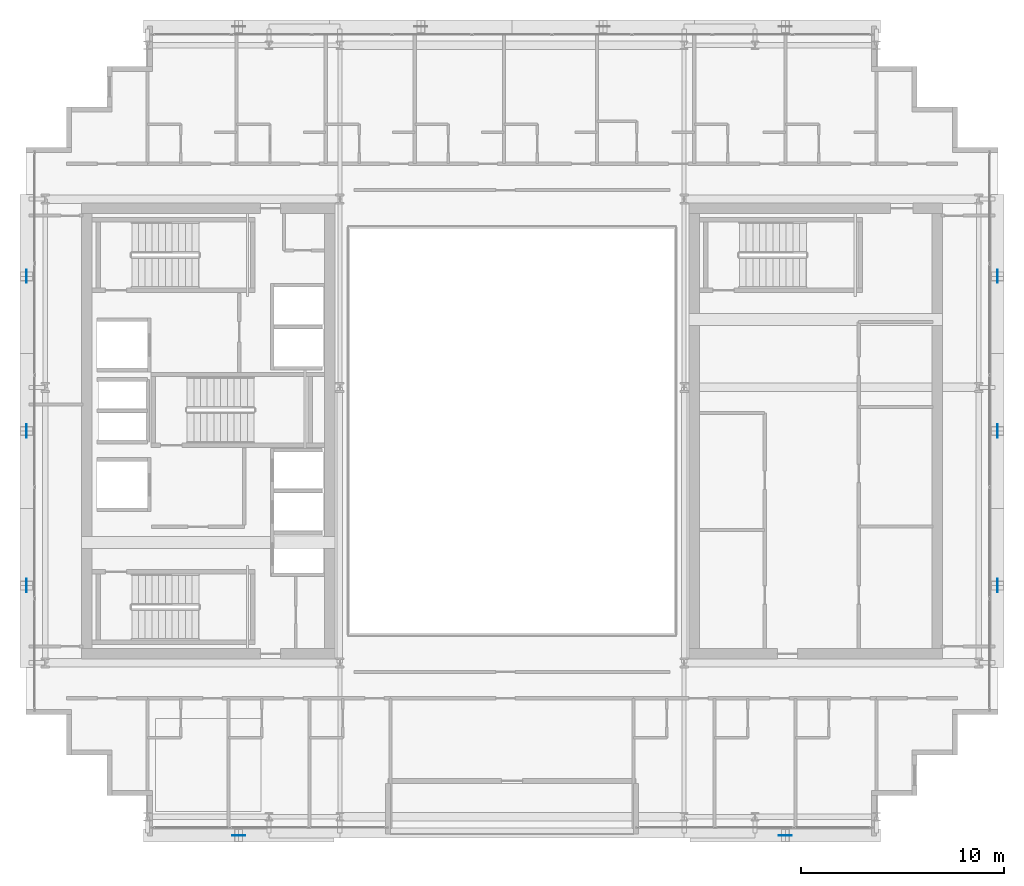
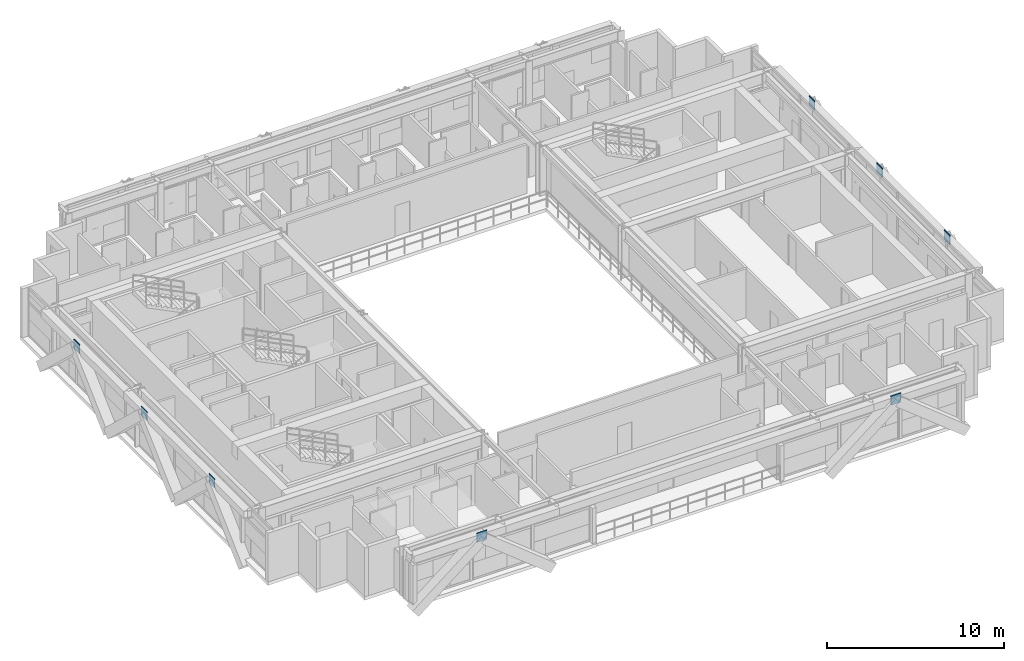
# One storey, part 22 of 32: 8 plates.
"""IFC4 building model written with IfcOpenShell, lengths in metres."""

import ifcopenshell
import ifcopenshell.guid

model = None  # the IFC model being written
_history = None  # IfcOwnerHistory: only IFC2X3 demands one
_inside = {}  # id of a spatial element -> (the spatial element, [elements in it])
_under = {}  # id of a project, library or spatial element -> (it, [spatial elements below it])
_declared = {}  # id of a project -> (the project, [libraries it declares])
_typed = {}  # id of a type object -> (the type object, [elements of that type])
_made_of = {}  # id of a material, layer set ... -> (it, [elements and type objects made of it])


def new_model(schema):
    """Start an empty IFC model of exactly this schema.

    Asked for "IFC4X3", IfcOpenShell would pick the latest addendum, in which some entities
    have other attributes; the version numbers below select the first issue.
    IFC2X3 requires an IfcOwnerHistory on every rooted entity: one is made here for all.
    """
    global model, _history
    if schema == "IFC4X3":
        model = ifcopenshell.file(schema_version=(4, 3, 0, 0))
    else:
        model = ifcopenshell.file(schema=schema)
    _inside.clear()
    _under.clear()
    _declared.clear()
    _typed.clear()
    _made_of.clear()
    _history = None
    if model.schema == "IFC2X3":
        org = make("IfcOrganization", Name="unknown")
        user = make(
            "IfcPersonAndOrganization",
            ThePerson=make("IfcPerson", FamilyName="unknown"),
            TheOrganization=org,
        )
        app = make(
            "IfcApplication",
            ApplicationDeveloper=org,
            Version="unknown",
            ApplicationFullName="unknown",
            ApplicationIdentifier="unknown",
        )
        _history = make(
            "IfcOwnerHistory",
            OwningUser=user,
            OwningApplication=app,
            ChangeAction="ADDED",
            CreationDate=0,
        )
    return model


def make(cls, **values):
    """One entity of the class cls with the attributes given. An attribute that is None is left unset."""
    return model.create_entity(
        cls, **{name: value for name, value in values.items() if value is not None}
    )


def rooted(cls, **values):
    """An entity with a GlobalId (a new one), such as an element, a storey or a relation."""
    return make(cls, GlobalId=ifcopenshell.guid.new(), OwnerHistory=_history, **values)


def si_unit(unit_type, name, prefix=None):
    """IfcSIUnit, for example si_unit("LENGTHUNIT", "METRE", prefix="MILLI")."""
    return make("IfcSIUnit", UnitType=unit_type, Prefix=prefix, Name=name)


def assignment(units):
    """IfcUnitAssignment: the units of a project."""
    return None if units is None else make("IfcUnitAssignment", Units=units)


def point(xyz):
    """IfcCartesianPoint."""
    return None if xyz is None else make("IfcCartesianPoint", Coordinates=xyz)


def direction(xyz):
    """IfcDirection."""
    return None if xyz is None else make("IfcDirection", DirectionRatios=xyz)


def frame(location, z_axis=None, x_axis=None):
    """IfcAxis2Placement3D, a coordinate frame: its origin and axes. An axis left out is left unset."""
    return make(
        "IfcAxis2Placement3D",
        Location=point(location),
        Axis=direction(z_axis),
        RefDirection=direction(x_axis),
    )


def frame_2d(location, x_axis=None):
    """IfcAxis2Placement2D, a coordinate frame in the plane: its origin and x axis."""
    return make(
        "IfcAxis2Placement2D", Location=point(location), RefDirection=direction(x_axis)
    )


def origin():
    """The frame at (0, 0, 0) with its axes left unset."""
    return frame((0.0, 0.0, 0.0))


def origin_2d():
    """The frame at (0, 0) in the plane with its x axis left unset."""
    return frame_2d((0.0, 0.0))


def place(relative_to, where):
    """IfcLocalPlacement: puts the frame where relative to a parent placement (None: the world)."""
    return make(
        "IfcLocalPlacement", PlacementRelTo=relative_to, RelativePlacement=where
    )


def context(
    kind, dimensions, precision=None, world=None, true_north=None, identifier=None
):
    """IfcGeometricRepresentationContext, for example the 3D "Model" context."""
    return make(
        "IfcGeometricRepresentationContext",
        ContextIdentifier=identifier,
        ContextType=kind,
        CoordinateSpaceDimension=dimensions,
        Precision=precision,
        WorldCoordinateSystem=world,
        TrueNorth=true_north,
    )


def subcontext(parent, identifier, kind, view, scale=None):
    """IfcGeometricRepresentationSubContext, for example "Body" below "Model"."""
    return make(
        "IfcGeometricRepresentationSubContext",
        ContextIdentifier=identifier,
        ContextType=kind,
        ParentContext=parent,
        TargetScale=scale,
        TargetView=view,
    )


def project(units=None, contexts=None):
    """IfcProject with its units and contexts."""
    return rooted(
        "IfcProject",
        Name="project",
        RepresentationContexts=contexts,
        UnitsInContext=assignment(units),
    )


def spatial(cls, under=None, at=None, **own):
    """A site, building, storey or space (cls), placed at a placement, below another one or the project."""
    s = rooted(cls, ObjectPlacement=at, **own)
    if under is not None:
        _under.setdefault(under.id(), (under, []))[1].append(s)
    return s


def profile(cls, at=None, kind="AREA", **sizes):
    """A parametric profile (cls). Its sizes go by their IFC names, for example OverallWidth=200.0."""
    return make(cls, ProfileType=kind, Position=at, **sizes)


def rectangle(**sizes):
    """IfcRectangleProfileDef."""
    return profile("IfcRectangleProfileDef", **sizes)


def extrude(swept, where, along, depth):
    """IfcExtrudedAreaSolid: the profile swept, set in the frame where, extruded along a direction by depth."""
    return make(
        "IfcExtrudedAreaSolid",
        SweptArea=swept,
        Position=where,
        ExtrudedDirection=direction(along),
        Depth=depth,
    )


def shape(context_of_items, identifier, shape_type, items):
    """IfcShapeRepresentation: the items that make up one representation, for example the "Body"."""
    return make(
        "IfcShapeRepresentation",
        ContextOfItems=context_of_items,
        RepresentationIdentifier=identifier,
        RepresentationType=shape_type,
        Items=items,
    )


def source(mapping_origin, context_of_items, identifier, shape_type, items):
    """IfcRepresentationMap: a shape defined once, which mapped items show again and again."""
    return make(
        "IfcRepresentationMap",
        MappingOrigin=mapping_origin,
        MappedRepresentation=shape(context_of_items, identifier, shape_type, items),
    )


def transform(
    local_origin,
    x_axis=None,
    y_axis=None,
    z_axis=None,
    scale=None,
    scale2=None,
    scale3=None,
    uniform=True,
):
    """IfcCartesianTransformationOperator3D, or its non-uniform kind. x_axis, y_axis, z_axis: its Axis1, 2, 3."""
    if uniform:
        return make(
            "IfcCartesianTransformationOperator3D",
            Axis1=direction(x_axis),
            Axis2=direction(y_axis),
            LocalOrigin=point(local_origin),
            Scale=scale,
            Axis3=direction(z_axis),
        )
    return make(
        "IfcCartesianTransformationOperator3DnonUniform",
        Axis1=direction(x_axis),
        Axis2=direction(y_axis),
        LocalOrigin=point(local_origin),
        Scale=scale,
        Axis3=direction(z_axis),
        Scale2=scale2,
        Scale3=scale3,
    )


def mapped(mapping_source, mapping_target):
    """IfcMappedItem: shows the shape of a source again, moved by a transform."""
    return make(
        "IfcMappedItem", MappingSource=mapping_source, MappingTarget=mapping_target
    )


def material(Name=None, Category=None):
    """IfcMaterial."""
    return make("IfcMaterial", Name=Name, Category=Category)


def layer(
    of_material, thickness, ventilated=None, Name=None, Category=None, Priority=None
):
    """IfcMaterialLayer: one layer of a wall or slab, of a material (None: an air gap)."""
    return make(
        "IfcMaterialLayer",
        Material=of_material,
        LayerThickness=thickness,
        IsVentilated=ventilated,
        Name=Name,
        Category=Category,
        Priority=Priority,
    )


def layer_set(layers, Name=None):
    """IfcMaterialLayerSet."""
    return make("IfcMaterialLayerSet", MaterialLayers=layers, LayerSetName=Name)


def made_of(thing, what):
    """Note that an element or type object is made of a material, layer set ...; save() writes the relation."""
    if what is not None:
        _made_of.setdefault(what.id(), (what, []))[1].append(thing)
    return thing


def type_object(cls, material=None, **own):
    """A type object (cls), such as IfcWallType, which elements share."""
    return made_of(rooted(cls, **own), material)


def element(
    cls,
    number,
    at=None,
    inside=None,
    cuts=None,
    type_object=None,
    material=None,
    context=None,
    identifier="Body",
    shape_type=None,
    held_by="IfcProductDefinitionShape",
    body=None,
    shapes=None,
    **own,
):
    """One element of the class cls, such as IfcWall. Its Tag is "e" and its number.

    at: its placement. inside: the storey or other place that contains it. cuts: it is an
    opening in that element (IfcRelVoidsElement). A single representation is given by context,
    identifier, shape_type and body (its items); several are given by shapes. held_by: the class
    of the entity that holds the representations. save() writes the other relations.
    """
    e = rooted(cls, Tag="e%d" % number, ObjectPlacement=at, **own)
    if body is not None:
        shapes = [shape(context, identifier, shape_type, body)]
    if shapes is not None:
        e.Representation = make(held_by, Representations=shapes)
    if inside is not None:
        _inside.setdefault(inside.id(), (inside, []))[1].append(e)
    if cuts is not None:
        rooted(
            "IfcRelVoidsElement", RelatingBuildingElement=cuts, RelatedOpeningElement=e
        )
    if type_object is not None:
        _typed.setdefault(type_object.id(), (type_object, []))[1].append(e)
    return made_of(e, material)


def aggregate(whole, parts):
    """IfcRelAggregates: a whole, such as a stair, and the parts it consists of."""
    return rooted("IfcRelAggregates", RelatingObject=whole, RelatedObjects=parts)


def save(model, path):
    """Write the relations noted so far, then the file.

    IfcRelAggregates (storeys below a building ...), IfcRelContainedInSpatialStructure (elements
    in a storey), IfcRelDefinesByType, IfcRelAssociatesMaterial and IfcRelDeclares: one each for
    every whole, place, type object, material and project.
    """
    for whole, parts in _under.values():
        aggregate(whole, parts)
    for where, things in _inside.values():
        rooted(
            "IfcRelContainedInSpatialStructure",
            RelatedElements=things,
            RelatingStructure=where,
        )
    for kind, things in _typed.values():
        rooted("IfcRelDefinesByType", RelatedObjects=things, RelatingType=kind)
    for what, things in _made_of.values():
        rooted("IfcRelAssociatesMaterial", RelatedObjects=things, RelatingMaterial=what)
    for by, libraries in _declared.values():
        rooted("IfcRelDeclares", RelatingContext=by, RelatedDefinitions=libraries)
    model.write(path)


model = new_model("IFC4")

# Units and contexts
model_context = context("Model", 3, precision=1e-05, world=origin(), true_north=direction((0.0, 1.0)))
body_context = subcontext(model_context, "Body", "Model", "MODEL_VIEW")
ifc_project = project(units=[si_unit("LENGTHUNIT", "METRE"), si_unit("AREAUNIT", "SQUARE_METRE"), si_unit("VOLUMEUNIT", "CUBIC_METRE"), si_unit("PLANEANGLEUNIT", "RADIAN"), si_unit("MASSUNIT", "GRAM", prefix="KILO")], contexts=[model_context])

# Site, building, storey
site_placement = place(None, origin())
site = spatial("IfcSite", under=ifc_project, at=site_placement, CompositionType="ELEMENT")
building_placement = place(site_placement, origin())
building = spatial("IfcBuilding", under=site, at=building_placement, Name="Ocotamira Hotel", CompositionType="ELEMENT")
storey_placement = place(building_placement, frame((0.0, 0.0, 166.800048828125)))
storey = spatial("IfcBuildingStorey", under=building, at=storey_placement, Name="L41", CompositionType="ELEMENT", Elevation=166.800048828125)

# Plates
ifc_material = material(Name="Pale-metal coated steel ASTM A572 Grade 50", Category="steel")
ifc_layer = layer(ifc_material, 0.0400390625)
ifc_layer_set = layer_set([ifc_layer], Name="Pale-metal coated steel ASTM A572 Grade 50")
plate_type = type_object("IfcPlateType", Name="PLT-GUSSET-40", PredefinedType="SHEET", material=ifc_layer_set)
shared_shape_1 = source(origin(), body_context, "Body", "SweptSolid", [
    extrude(rectangle(XDim=0.64990234375, YDim=0.0400390625, at=origin_2d()), origin(), (0.0, 0.0, 1.0), 0.64990234375),
])
for number, where, z_axis, x_axis, name in (
    (1, (18.5, 6.030029296875, 2.794921875), (0.0, 0.0, 1.0), (1.0, 0.0, 0.0), "L41 Exoskeleton Diagrid S0.1 End Gusset B"),
    (2, (45.5, 6.030029296875, 2.794921875), (0.0, 0.0, 1.0), (1.0, 0.0, 0.0), "L41 Exoskeleton Diagrid S3.1 End Gusset B"),
):
    element("IfcPlate", number, at=place(storey_placement, frame(where, z_axis=z_axis, x_axis=x_axis)), inside=storey, type_object=plate_type, Name=name, PredefinedType="SHEET", context=body_context, shape_type="MappedRepresentation", body=[
        mapped(shared_shape_1, transform((0.0, 0.0, 0.0), scale=1.0)),
    ])
shared_shape_2 = source(origin(), body_context, "Body", "SweptSolid", [
    extrude(rectangle(XDim=0.0400390625, YDim=0.64990234375, at=origin_2d()), origin(), (0.0, 0.0, 1.0), 0.64990234375),
])
for number, where, z_axis, x_axis, name in (
    (3, (8.030029296875, 18.36669921875, 2.794921875), (0.0, 0.0, 1.0), (1.0, 0.0, 0.0), "L41 Exoskeleton Diagrid W0.1 End Gusset B"),
    (4, (8.030029296875, 26.0, 2.794921875), (0.0, 0.0, 1.0), (1.0, 0.0, 0.0), "L41 Exoskeleton Diagrid W1.1 End Gusset B"),
    (5, (8.030029296875, 33.63330078125, 2.794921875), (0.0, 0.0, 1.0), (1.0, 0.0, 0.0), "L41 Exoskeleton Diagrid W2.1 End Gusset B"),
    (6, (55.969970703125, 18.36669921875, 2.794921875), (0.0, 0.0, 1.0), (1.0, 0.0, 0.0), "L41 Exoskeleton Diagrid E0.1 End Gusset B"),
    (7, (55.969970703125, 26.0, 2.794921875), (0.0, 0.0, 1.0), (1.0, 0.0, 0.0), "L41 Exoskeleton Diagrid E1.1 End Gusset B"),
    (8, (55.969970703125, 33.63330078125, 2.794921875), (0.0, 0.0, 1.0), (1.0, 0.0, 0.0), "L41 Exoskeleton Diagrid E2.1 End Gusset B"),
):
    element("IfcPlate", number, at=place(storey_placement, frame(where, z_axis=z_axis, x_axis=x_axis)), inside=storey, type_object=plate_type, Name=name, PredefinedType="SHEET", context=body_context, shape_type="MappedRepresentation", body=[
        mapped(shared_shape_2, transform((0.0, 0.0, 0.0), scale=1.0)),
    ])

save(model, "model.ifc")
